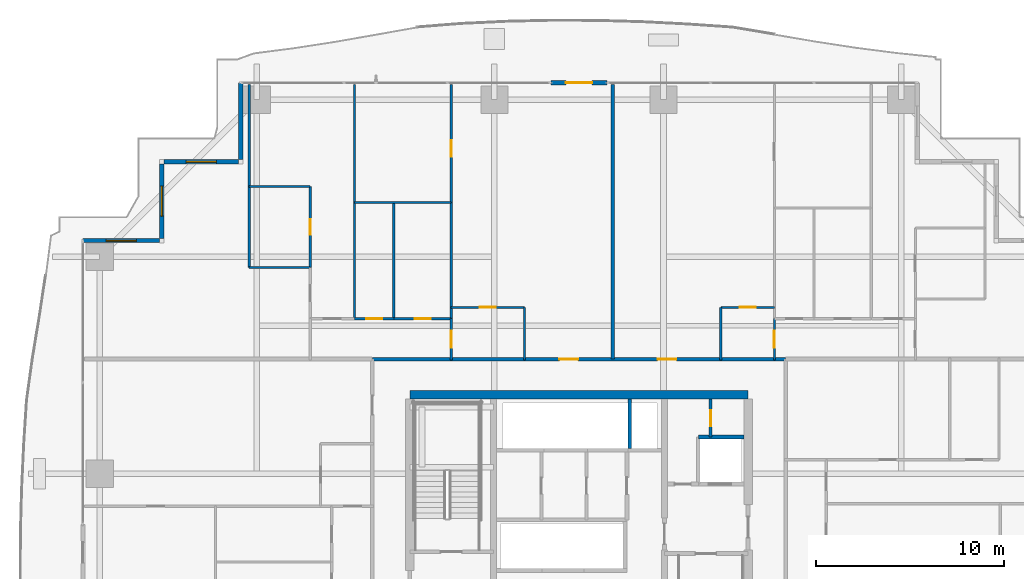
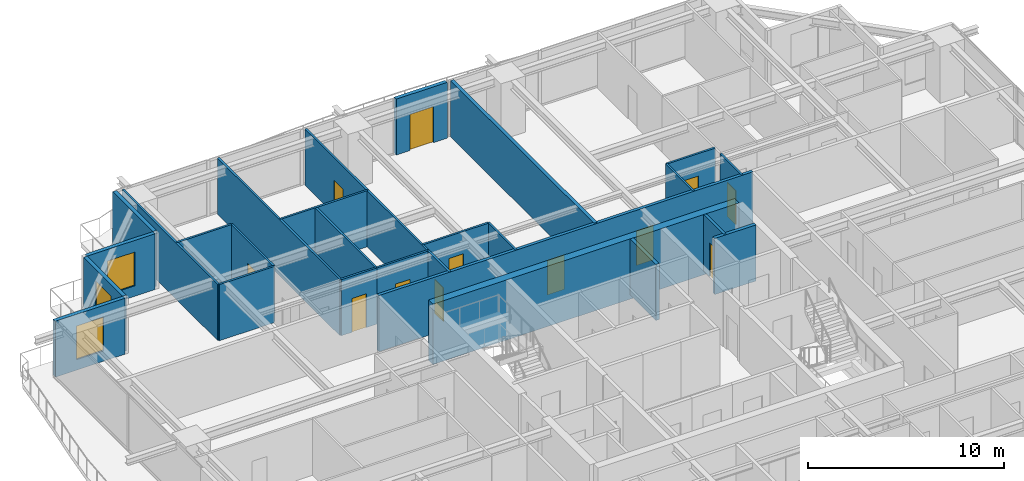
# One storey, part 27 of 36: 28 walls, 12 doors, 3 windows, 15 openings.
"""IFC4 building model written with IfcOpenShell, lengths in metres."""

from ifc_helpers import new_model, si_unit, direction, frame, frame_2d, origin, place, context, subcontext, project, spatial, rectangle, extrude, source, transform, mapped, material, layer, layer_set, type_object, element, fill, save


model = new_model("IFC4")

# Units and contexts
model_context = context("Model", 3, precision=1e-05, world=origin(), true_north=direction((0.0, 1.0)))
body_context = subcontext(model_context, "Body", "Model", "MODEL_VIEW")
ifc_project = project(units=[si_unit("LENGTHUNIT", "METRE"), si_unit("AREAUNIT", "SQUARE_METRE"), si_unit("VOLUMEUNIT", "CUBIC_METRE"), si_unit("PLANEANGLEUNIT", "RADIAN"), si_unit("MASSUNIT", "GRAM", prefix="KILO")], contexts=[model_context])

# Site, building, storey
site_placement = place(None, origin())
site = spatial("IfcSite", under=ifc_project, at=site_placement, CompositionType="ELEMENT")
building_placement = place(site_placement, origin())
building = spatial("IfcBuilding", under=site, at=building_placement, Name="Serunith Strait Residences", CompositionType="ELEMENT")
storey_placement = place(building_placement, frame((0.0, 0.0, 41.699951171875)))
storey = spatial("IfcBuildingStorey", under=building, at=storey_placement, Name="L09", CompositionType="ELEMENT", Elevation=41.699951171875)

# Wall, opening, door
ifc_material_1 = material(Name="Pale-Champagne Aluminium Insulated Panel", Category="aluminium")
ifc_layer_1 = layer(ifc_material_1, 0.219970703125, Name="Pale-Champagne Aluminium Insulated Panel")
ifc_layer_set_1 = layer_set([ifc_layer_1], Name="Pale-Champagne Aluminium Insulated Panel")
wall_type_1 = type_object("IfcWallType", Name="EW-ALUM-220", PredefinedType="ELEMENTEDWALL", material=ifc_layer_set_1)
wall_1_placement = place(storey_placement, frame((33.89990234375, 50.199951171875, 0.0), z_axis=(0.0, 0.0, 1.0), x_axis=(-1.0, 0.0, 0.0)))
wall_1 = element("IfcWall", 1, at=wall_1_placement, inside=storey, type_object=wall_type_1, Name="L09 N Facade Pier Wall", PredefinedType="ELEMENTEDWALL", context=body_context, shape_type="SweptSolid", body=[
    extrude(rectangle(XDim=3.0, YDim=0.219970703125, at=frame_2d((1.5, 0.0))), origin(), (0.0, 0.0, 1.0), 3.47509765625),
])
opening_1_placement = place(wall_1_placement, frame((0.800048828125, 0.0, 0.0)))
opening_1 = element("IfcOpeningElement", 2, at=opening_1_placement, cuts=wall_1, Name="Opening ED-04", PredefinedType="OPENING", context=body_context, shape_type="SweptSolid", body=[
    extrude(rectangle(XDim=1.39990234375, YDim=2.25, at=frame_2d((0.699951171875, 1.125))), frame((0.0, 0.1201171875, 0.0), z_axis=(0.0, -1.0, 0.0), x_axis=(1.0, 0.0, 0.0)), (0.0, 0.0, 1.0), 0.239990234375),
])
ifc_material_2 = material(Name="Thermally-Broken Aluminium Sliding Balcony Door", Category="aluminium")
door_type_1 = type_object("IfcDoorType", Name="ED-BALC-1400", OperationType="NOTDEFINED", PredefinedType="DOOR", material=ifc_material_2)
shared_shape_1 = source(origin(), body_context, "Body", "SweptSolid", [
    extrude(rectangle(XDim=1.39990234375, YDim=2.25, at=frame_2d((0.699951171875, 1.125))), frame((0.0, 0.02490234375, 0.0), z_axis=(0.0, -1.0, 0.0), x_axis=(1.0, 0.0, 0.0)), (0.0, 0.0, 1.0), 0.050048828125),
])
door_1_placement = place(opening_1_placement, origin())
door_1 = element("IfcDoor", 3, at=door_1_placement, inside=storey, type_object=door_type_1, Name="L09 N Vertical-Forest Balcony Door", OperationType="SLIDING_TO_LEFT", OverallHeight=2.25, OverallWidth=1.39990234375, PredefinedType="DOOR", context=body_context, shape_type="MappedRepresentation", body=[
    mapped(shared_shape_1, transform((0.0, 0.0, 0.0), scale=1.0)),
])
fill(opening_1, door_1)

# Wall
wall_2_placement = place(storey_placement, frame((14.39990234375, 50.199951171875, 0.0), z_axis=(0.0, 0.0, 1.0), x_axis=(0.0, -1.0, 0.0)))
element("IfcWall", 4, at=wall_2_placement, inside=storey, type_object=wall_type_1, Name="L09 Girih Serrated Corner Wall 12", PredefinedType="ELEMENTEDWALL", context=body_context, shape_type="SweptSolid", body=[
    extrude(rectangle(XDim=4.08984375, YDim=0.219970703125, at=frame_2d((2.044921875, 0.0))), origin(), (0.0, 0.0, 1.0), 3.47509765625),
])

# Wall, opening, window
wall_3_placement = place(storey_placement, frame((14.2900390625, 46.0, 0.0), z_axis=(0.0, 0.0, 1.0), x_axis=(-1.0, 0.0, 0.0)))
wall_3 = element("IfcWall", 5, at=wall_3_placement, inside=storey, type_object=wall_type_1, Name="L09 Girih Serrated Corner Wall 13", PredefinedType="ELEMENTEDWALL", context=body_context, shape_type="SweptSolid", body=[
    extrude(rectangle(XDim=3.97998046875, YDim=0.219970703125, at=frame_2d((1.989990234375, 0.0))), origin(), (0.0, 0.0, 1.0), 3.47509765625),
])
opening_2_placement = place(wall_3_placement, frame((1.18994140625, 0.0, 0.64990234375)))
opening_2 = element("IfcOpeningElement", 6, at=opening_2_placement, cuts=wall_3, Name="Opening W-02", PredefinedType="OPENING", context=body_context, shape_type="SweptSolid", body=[
    extrude(rectangle(XDim=1.60009765625, YDim=2.10009765625, at=frame_2d((0.800048828125, 1.050048828125))), frame((0.0, 0.1201171875, 0.0), z_axis=(0.0, -1.0, 0.0), x_axis=(1.0, 0.0, 0.0)), (0.0, 0.0, 1.0), 0.239990234375),
])
ifc_material_3 = material(Name="Ceramic-Fritted Operable Aluminium Window Glass", Category="aluminium")
window_type = type_object("IfcWindowType", Name="WIN-C2", PartitioningType="DOUBLE_PANEL_VERTICAL", PredefinedType="WINDOW", material=ifc_material_3)
shared_shape_2 = source(origin(), body_context, "Body", "SweptSolid", [
    extrude(rectangle(XDim=1.60009765625, YDim=2.10009765625, at=frame_2d((0.800048828125, 1.050048828125))), frame((0.0, 0.030029296875, 0.0), z_axis=(0.0, -1.0, 0.0), x_axis=(1.0, 0.0, 0.0)), (0.0, 0.0, 1.0), 0.06005859375),
])
window_1_placement = place(opening_2_placement, origin())
window_1 = element("IfcWindow", 7, at=window_1_placement, inside=storey, type_object=window_type, Name="L09 Corner Operable Fritted Window 13", OverallHeight=2.10009765625, OverallWidth=1.60009765625, PartitioningType="SINGLE_PANEL", PredefinedType="WINDOW", context=body_context, shape_type="MappedRepresentation", body=[
    mapped(shared_shape_2, transform((0.0, 0.0, 0.0), scale=1.0)),
])
fill(opening_2, window_1)

wall_4_placement = place(storey_placement, frame((10.199951171875, 45.889892578125, 0.0), z_axis=(0.0, 0.0, 1.0), x_axis=(0.0, -1.0, 0.0)))
wall_4 = element("IfcWall", 8, at=wall_4_placement, inside=storey, type_object=wall_type_1, Name="L09 Girih Serrated Corner Wall 14", PredefinedType="ELEMENTEDWALL", context=body_context, shape_type="SweptSolid", body=[
    extrude(rectangle(XDim=3.97998046875, YDim=0.219970703125, at=frame_2d((1.989990234375, 0.0))), origin(), (0.0, 0.0, 1.0), 3.47509765625),
])
opening_3_placement = place(wall_4_placement, frame((1.18994140625, 0.0, 0.64990234375)))
opening_3 = element("IfcOpeningElement", 9, at=opening_3_placement, cuts=wall_4, Name="Opening W-02", PredefinedType="OPENING", context=body_context, shape_type="SweptSolid", body=[
    extrude(rectangle(XDim=1.60009765625, YDim=2.10009765625, at=frame_2d((0.800048828125, 1.050048828125))), frame((0.0, 0.1201171875, 0.0), z_axis=(0.0, -1.0, 0.0), x_axis=(1.0, 0.0, 0.0)), (0.0, 0.0, 1.0), 0.239990234375),
])
window_2_placement = place(opening_3_placement, origin())
window_2 = element("IfcWindow", 10, at=window_2_placement, inside=storey, type_object=window_type, Name="L09 Corner Operable Fritted Window 14", OverallHeight=2.10009765625, OverallWidth=1.60009765625, PartitioningType="SINGLE_PANEL", PredefinedType="WINDOW", context=body_context, shape_type="MappedRepresentation", body=[
    mapped(shared_shape_2, transform((0.0, 0.0, 0.0), scale=1.0)),
])
fill(opening_3, window_2)

wall_5_placement = place(storey_placement, frame((10.090087890625, 41.800048828125, 0.0), z_axis=(0.0, 0.0, 1.0), x_axis=(-1.0, 0.0, 0.0)))
wall_5 = element("IfcWall", 11, at=wall_5_placement, inside=storey, type_object=wall_type_1, Name="L09 Girih Serrated Corner Wall 15", PredefinedType="ELEMENTEDWALL", context=body_context, shape_type="SweptSolid", body=[
    extrude(rectangle(XDim=4.090087890625, YDim=0.219970703125, at=frame_2d((2.044921875, 0.0))), origin(), (0.0, 0.0, 1.0), 3.47509765625),
])
opening_4_placement = place(wall_5_placement, frame((1.2451171875, 0.0, 0.64990234375)))
opening_4 = element("IfcOpeningElement", 12, at=opening_4_placement, cuts=wall_5, Name="Opening W-02", PredefinedType="OPENING", context=body_context, shape_type="SweptSolid", body=[
    extrude(rectangle(XDim=1.60009765625, YDim=2.10009765625, at=frame_2d((0.800048828125, 1.050048828125))), frame((0.0, 0.1201171875, 0.0), z_axis=(0.0, -1.0, 0.0), x_axis=(1.0, 0.0, 0.0)), (0.0, 0.0, 1.0), 0.239990234375),
])
window_3_placement = place(opening_4_placement, origin())
window_3 = element("IfcWindow", 13, at=window_3_placement, inside=storey, type_object=window_type, Name="L09 Corner Operable Fritted Window 15", OverallHeight=2.10009765625, OverallWidth=1.60009765625, PartitioningType="SINGLE_PANEL", PredefinedType="WINDOW", context=body_context, shape_type="MappedRepresentation", body=[
    mapped(shared_shape_2, transform((0.0, 0.0, 0.0), scale=1.0)),
])
fill(opening_4, window_3)

# Wall, opening, door
ifc_material_4 = material(Name="Fire-rated masonry service closet wall", Category="masonry")
ifc_layer_2 = layer(ifc_material_4, 0.14990234375, Name="Fire-rated masonry service closet wall")
ifc_layer_set_2 = layer_set([ifc_layer_2], Name="Fire-rated masonry service closet wall")
wall_type_2 = type_object("IfcWallType", Name="IW-BOH-150", PredefinedType="PARTITIONING", material=ifc_layer_set_2)
wall_6_placement = place(storey_placement, frame((39.39990234375, 31.35009765625, 0.0), z_axis=(0.0, 0.0, 1.0), x_axis=(0.0, 1.0, 0.0)))
wall_6 = element("IfcWall", 14, at=wall_6_placement, inside=storey, type_object=wall_type_2, Name="L09 Partition Wall 013", PredefinedType="PARTITIONING", context=body_context, shape_type="SweptSolid", body=[
    extrude(rectangle(XDim=2.02490234375, YDim=0.14990234375, at=frame_2d((1.012451171875, 0.0))), origin(), (0.0, 0.0, 1.0), 3.489990234375),
])
opening_5_placement = place(wall_6_placement, frame((0.5869140625, 0.0, 0.0)))
opening_5 = element("IfcOpeningElement", 15, at=opening_5_placement, cuts=wall_6, Name="Opening FD-850", PredefinedType="OPENING", context=body_context, shape_type="SweptSolid", body=[
    extrude(rectangle(XDim=0.85009765625, YDim=2.10009765625, at=frame_2d((0.425048828125, 1.050048828125))), frame((0.0, 0.0849609375, 0.0), z_axis=(0.0, -1.0, 0.0), x_axis=(1.0, 0.0, 0.0)), (0.0, 0.0, 1.0), 0.169921875),
])
ifc_material_5 = material(Name="Powder-coated steel service closet door", Category="steel")
door_type_2 = type_object("IfcDoorType", Name="FD-BOH-850", OperationType="NOTDEFINED", PredefinedType="DOOR", material=ifc_material_5)
shared_shape_3 = source(origin(), body_context, "Body", "SweptSolid", [
    extrude(rectangle(XDim=0.85009765625, YDim=2.10009765625, at=frame_2d((0.425048828125, 1.050048828125))), frame((0.0, 0.02490234375, 0.0), z_axis=(0.0, -1.0, 0.0), x_axis=(1.0, 0.0, 0.0)), (0.0, 0.0, 1.0), 0.050048828125),
])
door_2_placement = place(opening_5_placement, origin())
door_2 = element("IfcDoor", 16, at=door_2_placement, inside=storey, type_object=door_type_2, Name="L09 Janitor Store Door", OperationType="SINGLE_SWING_LEFT", OverallHeight=2.10009765625, OverallWidth=0.85009765625, PredefinedType="DOOR", context=body_context, shape_type="MappedRepresentation", body=[
    mapped(shared_shape_3, transform((0.0, 0.0, 0.0), scale=1.0)),
])
fill(opening_5, door_2)

# Wall, openings, doors
ifc_material_6 = material(Name="Fire-rated acoustic gypsum partition")
ifc_layer_3 = layer(ifc_material_6, 0.179931640625, Name="Fire-rated acoustic gypsum partition")
ifc_layer_set_3 = layer_set([ifc_layer_3], Name="Fire-rated acoustic gypsum partition")
wall_type_3 = type_object("IfcWallType", Name="IW-CORR-180", PredefinedType="PARTITIONING", material=ifc_layer_set_3)
wall_7_placement = place(storey_placement, frame((21.402099609375, 35.5, 0.0), z_axis=(0.0, 0.0, 1.0), x_axis=(1.0, 0.0, 0.0)))
wall_7 = element("IfcWall", 17, at=wall_7_placement, inside=storey, type_object=wall_type_3, Name="L09 Partition Wall 024", PredefinedType="PARTITIONING", context=body_context, shape_type="SweptSolid", body=[
    extrude(rectangle(XDim=21.995849609375, YDim=0.179931640625, at=frame_2d((10.998046875, 0.0))), origin(), (0.0, 0.0, 1.0), 3.489990234375),
])
opening_6_placement = place(wall_7_placement, frame((9.951904296875, 0.0, 0.0)))
opening_6 = element("IfcOpeningElement", 18, at=opening_6_placement, cuts=wall_7, Name="Opening D-APT1000", PredefinedType="OPENING", context=body_context, shape_type="SweptSolid", body=[
    extrude(rectangle(XDim=1.0, YDim=2.14990234375, at=frame_2d((0.5, 1.074951171875))), frame((0.0, 0.10009765625, 0.0), z_axis=(0.0, -1.0, 0.0), x_axis=(1.0, 0.0, 0.0)), (0.0, 0.0, 1.0), 0.199951171875),
])
opening_7_placement = place(wall_7_placement, frame((15.179931640625, 0.0, 0.0)))
opening_7 = element("IfcOpeningElement", 19, at=opening_7_placement, cuts=wall_7, Name="Opening D-APT1000", PredefinedType="OPENING", context=body_context, shape_type="SweptSolid", body=[
    extrude(rectangle(XDim=1.0, YDim=2.14990234375, at=frame_2d((0.5, 1.074951171875))), frame((0.0, 0.10009765625, 0.0), z_axis=(0.0, -1.0, 0.0), x_axis=(1.0, 0.0, 0.0)), (0.0, 0.0, 1.0), 0.199951171875),
])
ifc_material_7 = material(Name="Solid timber engineered fire door", Category="wood")
door_type_3 = type_object("IfcDoorType", Name="ID-APT-1000", OperationType="NOTDEFINED", PredefinedType="DOOR", material=ifc_material_7)
shared_shape_4 = source(origin(), body_context, "Body", "SweptSolid", [
    extrude(rectangle(XDim=1.0, YDim=2.14990234375, at=frame_2d((0.5, 1.074951171875))), frame((0.0, 0.02490234375, 0.0), z_axis=(0.0, -1.0, 0.0), x_axis=(1.0, 0.0, 0.0)), (0.0, 0.0, 1.0), 0.050048828125),
])
door_3_placement = place(opening_6_placement, origin())
door_3 = element("IfcDoor", 20, at=door_3_placement, inside=storey, type_object=door_type_3, Name="L09 Unit 03 Entrance Door", OperationType="SINGLE_SWING_LEFT", OverallHeight=2.14990234375, OverallWidth=1.0, PredefinedType="DOOR", context=body_context, shape_type="MappedRepresentation", body=[
    mapped(shared_shape_4, transform((0.0, 0.0, 0.0), scale=1.0)),
])
fill(opening_6, door_3)
door_4_placement = place(opening_7_placement, origin())
door_4 = element("IfcDoor", 21, at=door_4_placement, inside=storey, type_object=door_type_3, Name="L09 Unit 04 Entrance Door", OperationType="SINGLE_SWING_RIGHT", OverallHeight=2.14990234375, OverallWidth=1.0, PredefinedType="DOOR", context=body_context, shape_type="MappedRepresentation", body=[
    mapped(shared_shape_4, transform((0.0, 0.0, 0.0), scale=1.0)),
])
fill(opening_7, door_4)

# Wall, opening, door
ifc_material_8 = material(Name="Lightweight steel-stud gypsum partition", Category="steel")
ifc_layer_4 = layer(ifc_material_8, 0.1201171875, Name="Lightweight steel-stud gypsum partition")
ifc_layer_set_4 = layer_set([ifc_layer_4], Name="Lightweight steel-stud gypsum partition")
wall_type_4 = type_object("IfcWallType", Name="IW-PART-120", PredefinedType="PARTITIONING", material=ifc_layer_set_4)
wall_8_placement = place(storey_placement, frame((25.60009765625, 38.25, 0.0), z_axis=(0.0, 0.0, 1.0), x_axis=(1.0, 0.0, 0.0)))
wall_8 = element("IfcWall", 22, at=wall_8_placement, inside=storey, type_object=wall_type_4, Name="L09 Partition Wall 061", PredefinedType="PARTITIONING", context=body_context, shape_type="SweptSolid", body=[
    extrude(rectangle(XDim=3.89990234375, YDim=0.1201171875, at=frame_2d((1.949951171875, 0.0))), origin(), (0.0, 0.0, 1.0), 3.489990234375),
])
opening_8_placement = place(wall_8_placement, frame((1.52490234375, 0.0, 0.0)))
opening_8 = element("IfcOpeningElement", 23, at=opening_8_placement, cuts=wall_8, Name="Opening D-RM850", PredefinedType="OPENING", context=body_context, shape_type="SweptSolid", body=[
    extrude(rectangle(XDim=0.85009765625, YDim=2.10009765625, at=frame_2d((0.425048828125, 1.050048828125))), frame((0.0, 0.070068359375, 0.0), z_axis=(0.0, -1.0, 0.0), x_axis=(1.0, 0.0, 0.0)), (0.0, 0.0, 1.0), 0.14013671875),
])
ifc_material_9 = material(Name="Engineered timber flush study and kitchen door", Category="wood")
door_type_4 = type_object("IfcDoorType", Name="ID-ROOM-850", OperationType="NOTDEFINED", PredefinedType="DOOR", material=ifc_material_9)
door_5_placement = place(opening_8_placement, origin())
door_5 = element("IfcDoor", 24, at=door_5_placement, inside=storey, type_object=door_type_4, Name="L09 Kitchen 0903 Door", OperationType="SINGLE_SWING_LEFT", OverallHeight=2.10009765625, OverallWidth=0.85009765625, PredefinedType="DOOR", context=body_context, shape_type="MappedRepresentation", body=[
    mapped(shared_shape_3, transform((0.0, 0.0, 0.0), scale=1.0)),
])
fill(opening_8, door_5)

# Wall
wall_9_placement = place(storey_placement, frame((29.5, 38.25, 0.0), z_axis=(0.0, 0.0, 1.0), x_axis=(0.0, -1.0, 0.0)))
element("IfcWall", 25, at=wall_9_placement, inside=storey, type_object=wall_type_4, Name="L09 Partition Wall 062", PredefinedType="PARTITIONING", context=body_context, shape_type="SweptSolid", body=[
    extrude(rectangle(XDim=2.81005859375, YDim=0.1201171875, at=frame_2d((1.405029296875, 0.0))), origin(), (0.0, 0.0, 1.0), 3.489990234375),
])

# Wall, opening, door
wall_10_placement = place(storey_placement, frame((25.60009765625, 37.64990234375, 0.0), z_axis=(0.0, 0.0, 1.0), x_axis=(0.0, -1.0, 0.0)))
wall_10 = element("IfcWall", 26, at=wall_10_placement, inside=storey, type_object=wall_type_4, Name="L09 Partition Wall 063", PredefinedType="PARTITIONING", context=body_context, shape_type="SweptSolid", body=[
    extrude(rectangle(XDim=2.2099609375, YDim=0.1201171875, at=frame_2d((1.10498046875, 0.0))), origin(), (0.0, 0.0, 1.0), 3.489990234375),
])
opening_9_placement = place(wall_10_placement, frame((0.655029296875, 0.0, 0.0)))
opening_9 = element("IfcOpeningElement", 27, at=opening_9_placement, cuts=wall_10, Name="Opening D-RM900", PredefinedType="OPENING", context=body_context, shape_type="SweptSolid", body=[
    extrude(rectangle(XDim=0.89990234375, YDim=2.10009765625, at=frame_2d((0.449951171875, 1.050048828125))), frame((0.0, 0.070068359375, 0.0), z_axis=(0.0, -1.0, 0.0), x_axis=(1.0, 0.0, 0.0)), (0.0, 0.0, 1.0), 0.14013671875),
])
ifc_material_10 = material(Name="Engineered timber flush bedroom door", Category="wood")
door_type_5 = type_object("IfcDoorType", Name="ID-ROOM-900", OperationType="NOTDEFINED", PredefinedType="DOOR", material=ifc_material_10)
shared_shape_5 = source(origin(), body_context, "Body", "SweptSolid", [
    extrude(rectangle(XDim=0.89990234375, YDim=2.10009765625, at=frame_2d((0.449951171875, 1.050048828125))), frame((0.0, 0.02490234375, 0.0), z_axis=(0.0, -1.0, 0.0), x_axis=(1.0, 0.0, 0.0)), (0.0, 0.0, 1.0), 0.050048828125),
])
door_6_placement = place(opening_9_placement, origin())
door_6 = element("IfcDoor", 28, at=door_6_placement, inside=storey, type_object=door_type_5, Name="L09 Hall W 0903 Door", OperationType="SINGLE_SWING_RIGHT", OverallHeight=2.10009765625, OverallWidth=0.89990234375, PredefinedType="DOOR", context=body_context, shape_type="MappedRepresentation", body=[
    mapped(shared_shape_5, transform((0.0, 0.0, 0.0), scale=1.0)),
])
fill(opening_9, door_6)

wall_11_placement = place(storey_placement, frame((25.60009765625, 50.10498046875, 0.0), z_axis=(0.0, 0.0, 1.0), x_axis=(0.0, -1.0, 0.0)))
wall_11 = element("IfcWall", 29, at=wall_11_placement, inside=storey, type_object=wall_type_4, Name="L09 Partition Wall 064", PredefinedType="PARTITIONING", context=body_context, shape_type="SweptSolid", body=[
    extrude(rectangle(XDim=6.26904296875, YDim=0.1201171875, at=frame_2d((3.134521484375, 0.0))), origin(), (0.0, 0.0, 1.0), 3.489990234375),
])
opening_10_placement = place(wall_11_placement, frame((2.952880859375, 0.0, 0.0)))
opening_10 = element("IfcOpeningElement", 30, at=opening_10_placement, cuts=wall_11, Name="Opening D-RM900", PredefinedType="OPENING", context=body_context, shape_type="SweptSolid", body=[
    extrude(rectangle(XDim=0.89990234375, YDim=2.10009765625, at=frame_2d((0.449951171875, 1.050048828125))), frame((0.0, 0.070068359375, 0.0), z_axis=(0.0, -1.0, 0.0), x_axis=(1.0, 0.0, 0.0)), (0.0, 0.0, 1.0), 0.14013671875),
])
door_7_placement = place(opening_10_placement, origin())
door_7 = element("IfcDoor", 31, at=door_7_placement, inside=storey, type_object=door_type_5, Name="L09 Formal Dining Room 1 0903 Door", OperationType="SINGLE_SWING_LEFT", OverallHeight=2.10009765625, OverallWidth=0.89990234375, PredefinedType="DOOR", context=body_context, shape_type="MappedRepresentation", body=[
    mapped(shared_shape_5, transform((0.0, 0.0, 0.0), scale=1.0)),
])
fill(opening_10, door_7)

# Walls
wall_12_placement = place(storey_placement, frame((25.60009765625, 43.833984375, 0.0), z_axis=(0.0, 0.0, 1.0), x_axis=(0.0, -1.0, 0.0)))
element("IfcWall", 32, at=wall_12_placement, inside=storey, type_object=wall_type_4, Name="L09 Partition Wall 065", PredefinedType="PARTITIONING", context=body_context, shape_type="SweptSolid", body=[
    extrude(rectangle(XDim=6.181884765625, YDim=0.1201171875, at=frame_2d((3.0908203125, 0.0))), origin(), (0.0, 0.0, 1.0), 3.489990234375),
])
wall_13_placement = place(storey_placement, frame((20.449951171875, 43.8359375, 0.0), z_axis=(0.0, 0.0, 1.0), x_axis=(1.0, 0.0, 0.0)))
element("IfcWall", 33, at=wall_13_placement, inside=storey, type_object=wall_type_4, Name="L09 Partition Wall 066", PredefinedType="PARTITIONING", context=body_context, shape_type="SweptSolid", body=[
    extrude(rectangle(XDim=5.150146484375, YDim=0.1201171875, at=frame_2d((2.5751953125, 0.0))), origin(), (0.0, 0.0, 1.0), 3.489990234375),
])
wall_14_placement = place(storey_placement, frame((20.449951171875, 50.10498046875, 0.0), z_axis=(0.0, 0.0, 1.0), x_axis=(0.0, -1.0, 0.0)))
element("IfcWall", 34, at=wall_14_placement, inside=storey, type_object=wall_type_4, Name="L09 Partition Wall 067", PredefinedType="PARTITIONING", context=body_context, shape_type="SweptSolid", body=[
    extrude(rectangle(XDim=12.455078125, YDim=0.1201171875, at=frame_2d((6.2275390625, 0.0))), origin(), (0.0, 0.0, 1.0), 3.489990234375),
])
wall_15_placement = place(storey_placement, frame((22.550048828125, 43.8359375, 0.0), z_axis=(0.0, 0.0, 1.0), x_axis=(0.0, -1.0, 0.0)))
element("IfcWall", 35, at=wall_15_placement, inside=storey, type_object=wall_type_4, Name="L09 Partition Wall 068", PredefinedType="PARTITIONING", context=body_context, shape_type="SweptSolid", body=[
    extrude(rectangle(XDim=6.18603515625, YDim=0.1201171875, at=frame_2d((3.093017578125, 0.0))), origin(), (0.0, 0.0, 1.0), 3.489990234375),
])

# Wall, opening, door
wall_16_placement = place(storey_placement, frame((20.449951171875, 37.64990234375, 0.0), z_axis=(0.0, 0.0, 1.0), x_axis=(1.0, 0.0, 0.0)))
wall_16 = element("IfcWall", 36, at=wall_16_placement, inside=storey, type_object=wall_type_4, Name="L09 Partition Wall 069", PredefinedType="PARTITIONING", context=body_context, shape_type="SweptSolid", body=[
    extrude(rectangle(XDim=2.10009765625, YDim=0.1201171875, at=frame_2d((1.050048828125, 0.0))), origin(), (0.0, 0.0, 1.0), 3.489990234375),
])
opening_11_placement = place(wall_16_placement, frame((0.625, 0.0, 0.0)))
opening_11 = element("IfcOpeningElement", 37, at=opening_11_placement, cuts=wall_16, Name="Opening D-BTH850", PredefinedType="OPENING", context=body_context, shape_type="SweptSolid", body=[
    extrude(rectangle(XDim=0.85009765625, YDim=2.10009765625, at=frame_2d((0.425048828125, 1.050048828125))), frame((0.0, 0.070068359375, 0.0), z_axis=(0.0, -1.0, 0.0), x_axis=(1.0, 0.0, 0.0)), (0.0, 0.0, 1.0), 0.14013671875),
])
ifc_material_11 = material(Name="Moisture-resistant timber bathroom door", Category="wood")
door_type_6 = type_object("IfcDoorType", Name="ID-BATH-850", OperationType="NOTDEFINED", PredefinedType="DOOR", material=ifc_material_11)
door_8_placement = place(opening_11_placement, origin())
door_8 = element("IfcDoor", 38, at=door_8_placement, inside=storey, type_object=door_type_6, Name="L09 Bathroom 0903 Door", OperationType="SINGLE_SWING_RIGHT", OverallHeight=2.10009765625, OverallWidth=0.85009765625, PredefinedType="DOOR", context=body_context, shape_type="MappedRepresentation", body=[
    mapped(shared_shape_3, transform((0.0, 0.0, 0.0), scale=1.0)),
])
fill(opening_11, door_8)

wall_17_placement = place(storey_placement, frame((22.552001953125, 37.64990234375, 0.0), z_axis=(0.0, 0.0, 1.0), x_axis=(1.0, 0.0, 0.0)))
wall_17 = element("IfcWall", 39, at=wall_17_placement, inside=storey, type_object=wall_type_4, Name="L09 Partition Wall 070", PredefinedType="PARTITIONING", context=body_context, shape_type="SweptSolid", body=[
    extrude(rectangle(XDim=3.048095703125, YDim=0.1201171875, at=frame_2d((1.52392578125, 0.0))), origin(), (0.0, 0.0, 1.0), 3.489990234375),
])
opening_12_placement = place(wall_17_placement, frame((1.09912109375, 0.0, 0.0)))
opening_12 = element("IfcOpeningElement", 40, at=opening_12_placement, cuts=wall_17, Name="Opening D-RM850", PredefinedType="OPENING", context=body_context, shape_type="SweptSolid", body=[
    extrude(rectangle(XDim=0.85009765625, YDim=2.10009765625, at=frame_2d((0.425048828125, 1.050048828125))), frame((0.0, 0.070068359375, 0.0), z_axis=(0.0, -1.0, 0.0), x_axis=(1.0, 0.0, 0.0)), (0.0, 0.0, 1.0), 0.14013671875),
])
door_9_placement = place(opening_12_placement, origin())
door_9 = element("IfcDoor", 41, at=door_9_placement, inside=storey, type_object=door_type_4, Name="L09 Laundry Room 0903 Door", OperationType="SINGLE_SWING_LEFT", OverallHeight=2.10009765625, OverallWidth=0.85009765625, PredefinedType="DOOR", context=body_context, shape_type="MappedRepresentation", body=[
    mapped(shared_shape_3, transform((0.0, 0.0, 0.0), scale=1.0)),
])
fill(opening_12, door_9)

# Walls
wall_18_placement = place(storey_placement, frame((14.85009765625, 44.681884765625, 0.0), z_axis=(0.0, 0.0, 1.0), x_axis=(1.0, 0.0, 0.0)))
element("IfcWall", 42, at=wall_18_placement, inside=storey, type_object=wall_type_4, Name="L09 Partition Wall 072", PredefinedType="PARTITIONING", context=body_context, shape_type="SweptSolid", body=[
    extrude(rectangle(XDim=3.25, YDim=0.1201171875, at=frame_2d((1.625, 0.0))), origin(), (0.0, 0.0, 1.0), 3.489990234375),
])
wall_19_placement = place(storey_placement, frame((14.85009765625, 50.10498046875, 0.0), z_axis=(0.0, 0.0, 1.0), x_axis=(0.0, -1.0, 0.0)))
element("IfcWall", 43, at=wall_19_placement, inside=storey, type_object=wall_type_4, Name="L09 Partition Wall 073", PredefinedType="PARTITIONING", context=body_context, shape_type="SweptSolid", body=[
    extrude(rectangle(XDim=9.73095703125, YDim=0.1201171875, at=frame_2d((4.865478515625, 0.0))), origin(), (0.0, 0.0, 1.0), 3.489990234375),
])
wall_20_placement = place(storey_placement, frame((14.85009765625, 40.3740234375, 0.0), z_axis=(0.0, 0.0, 1.0), x_axis=(1.0, 0.0, 0.0)))
element("IfcWall", 44, at=wall_20_placement, inside=storey, type_object=wall_type_4, Name="L09 Partition Wall 074", PredefinedType="PARTITIONING", context=body_context, shape_type="SweptSolid", body=[
    extrude(rectangle(XDim=3.25, YDim=0.1201171875, at=frame_2d((1.625, 0.0))), origin(), (0.0, 0.0, 1.0), 3.489990234375),
])

# Wall, opening, door
wall_21_placement = place(storey_placement, frame((18.10009765625, 44.681884765625, 0.0), z_axis=(0.0, 0.0, 1.0), x_axis=(0.0, -1.0, 0.0)))
wall_21 = element("IfcWall", 45, at=wall_21_placement, inside=storey, type_object=wall_type_4, Name="L09 Partition Wall 075", PredefinedType="PARTITIONING", context=body_context, shape_type="SweptSolid", body=[
    extrude(rectangle(XDim=4.307861328125, YDim=0.1201171875, at=frame_2d((2.15380859375, 0.0))), origin(), (0.0, 0.0, 1.0), 3.489990234375),
])
opening_13_placement = place(wall_21_placement, frame((1.72900390625, 0.0, 0.0)))
opening_13 = element("IfcOpeningElement", 46, at=opening_13_placement, cuts=wall_21, Name="Opening D-BTH850", PredefinedType="OPENING", context=body_context, shape_type="SweptSolid", body=[
    extrude(rectangle(XDim=0.85009765625, YDim=2.10009765625, at=frame_2d((0.425048828125, 1.050048828125))), frame((0.0, 0.070068359375, 0.0), z_axis=(0.0, -1.0, 0.0), x_axis=(1.0, 0.0, 0.0)), (0.0, 0.0, 1.0), 0.14013671875),
])
door_10_placement = place(opening_13_placement, origin())
door_10 = element("IfcDoor", 47, at=door_10_placement, inside=storey, type_object=door_type_6, Name="L09 En-suite Bathroom W 0903 Door", OperationType="SINGLE_SWING_LEFT", OverallHeight=2.10009765625, OverallWidth=0.85009765625, PredefinedType="DOOR", context=body_context, shape_type="MappedRepresentation", body=[
    mapped(shared_shape_3, transform((0.0, 0.0, 0.0), scale=1.0)),
])
fill(opening_13, door_10)

wall_22_placement = place(storey_placement, frame((39.949951171875, 38.25, 0.0), z_axis=(0.0, 0.0, 1.0), x_axis=(1.0, 0.0, 0.0)))
wall_22 = element("IfcWall", 48, at=wall_22_placement, inside=storey, type_object=wall_type_4, Name="L09 Partition Wall 078", PredefinedType="PARTITIONING", context=body_context, shape_type="SweptSolid", body=[
    extrude(rectangle(XDim=2.85009765625, YDim=0.1201171875, at=frame_2d((1.425048828125, 0.0))), origin(), (0.0, 0.0, 1.0), 3.489990234375),
])
opening_14_placement = place(wall_22_placement, frame((1.0, 0.0, 0.0)))
opening_14 = element("IfcOpeningElement", 49, at=opening_14_placement, cuts=wall_22, Name="Opening D-RM850", PredefinedType="OPENING", context=body_context, shape_type="SweptSolid", body=[
    extrude(rectangle(XDim=0.85009765625, YDim=2.10009765625, at=frame_2d((0.425048828125, 1.050048828125))), frame((0.0, 0.070068359375, 0.0), z_axis=(0.0, -1.0, 0.0), x_axis=(1.0, 0.0, 0.0)), (0.0, 0.0, 1.0), 0.14013671875),
])
door_11_placement = place(opening_14_placement, origin())
door_11 = element("IfcDoor", 50, at=door_11_placement, inside=storey, type_object=door_type_4, Name="L09 Kitchen 0904 Door", OperationType="SINGLE_SWING_LEFT", OverallHeight=2.10009765625, OverallWidth=0.85009765625, PredefinedType="DOOR", context=body_context, shape_type="MappedRepresentation", body=[
    mapped(shared_shape_3, transform((0.0, 0.0, 0.0), scale=1.0)),
])
fill(opening_14, door_11)

# Wall
wall_23_placement = place(storey_placement, frame((39.949951171875, 38.25, 0.0), z_axis=(0.0, 0.0, 1.0), x_axis=(0.0, -1.0, 0.0)))
element("IfcWall", 51, at=wall_23_placement, inside=storey, type_object=wall_type_4, Name="L09 Partition Wall 079", PredefinedType="PARTITIONING", context=body_context, shape_type="SweptSolid", body=[
    extrude(rectangle(XDim=2.81005859375, YDim=0.1201171875, at=frame_2d((1.405029296875, 0.0))), origin(), (0.0, 0.0, 1.0), 3.489990234375),
])

# Wall, opening, door
wall_24_placement = place(storey_placement, frame((42.800048828125, 37.64990234375, 0.0), z_axis=(0.0, 0.0, 1.0), x_axis=(0.0, -1.0, 0.0)))
wall_24 = element("IfcWall", 52, at=wall_24_placement, inside=storey, type_object=wall_type_4, Name="L09 Partition Wall 080", PredefinedType="PARTITIONING", context=body_context, shape_type="SweptSolid", body=[
    extrude(rectangle(XDim=2.2099609375, YDim=0.1201171875, at=frame_2d((1.10498046875, 0.0))), origin(), (0.0, 0.0, 1.0), 3.489990234375),
])
opening_15_placement = place(wall_24_placement, frame((0.655029296875, 0.0, 0.0)))
opening_15 = element("IfcOpeningElement", 53, at=opening_15_placement, cuts=wall_24, Name="Opening D-RM900", PredefinedType="OPENING", context=body_context, shape_type="SweptSolid", body=[
    extrude(rectangle(XDim=0.89990234375, YDim=2.10009765625, at=frame_2d((0.449951171875, 1.050048828125))), frame((0.0, 0.070068359375, 0.0), z_axis=(0.0, -1.0, 0.0), x_axis=(1.0, 0.0, 0.0)), (0.0, 0.0, 1.0), 0.14013671875),
])
door_12_placement = place(opening_15_placement, origin())
door_12 = element("IfcDoor", 54, at=door_12_placement, inside=storey, type_object=door_type_5, Name="L09 Hall E 0904 Door", OperationType="SINGLE_SWING_RIGHT", OverallHeight=2.10009765625, OverallWidth=0.89990234375, PredefinedType="DOOR", context=body_context, shape_type="MappedRepresentation", body=[
    mapped(shared_shape_5, transform((0.0, 0.0, 0.0), scale=1.0)),
])
fill(opening_15, door_12)

# Walls
ifc_material_12 = material(Name="Twin-stud acoustic gypsum board partition")
ifc_layer_5 = layer(ifc_material_12, 0.199951171875, Name="Twin-stud acoustic gypsum board partition")
ifc_layer_set_5 = layer_set([ifc_layer_5], Name="Twin-stud acoustic gypsum board partition")
wall_type_5 = type_object("IfcWallType", Name="IW-PARTY-200", PredefinedType="PARTITIONING", material=ifc_layer_set_5)
wall_25_placement = place(storey_placement, frame((34.199951171875, 35.5, 0.0), z_axis=(0.0, 0.0, 1.0), x_axis=(0.0, 1.0, 0.0)))
element("IfcWall", 55, at=wall_25_placement, inside=storey, type_object=wall_type_5, Name="L09 Partition Wall 018", PredefinedType="PARTITIONING", context=body_context, shape_type="SweptSolid", body=[
    extrude(rectangle(XDim=14.617919921875, YDim=0.199951171875, at=frame_2d((7.30908203125, 0.0))), origin(), (0.0, 0.0, 1.0), 3.489990234375),
])
ifc_material_13 = material(Name="Autoclaved aerated concrete blockwork", Category="masonry")
ifc_layer_6 = layer(ifc_material_13, 0.199951171875, Name="Autoclaved aerated concrete blockwork")
ifc_layer_set_6 = layer_set([ifc_layer_6], Name="Autoclaved aerated concrete blockwork")
wall_type_6 = type_object("IfcWallType", Name="IW-SHAFT-200", PredefinedType="STANDARD", material=ifc_layer_set_6)
wall_26_placement = place(storey_placement, frame((35.10009765625, 30.75, 0.0), z_axis=(0.0, 0.0, 1.0), x_axis=(0.0, 1.0, 0.0)))
element("IfcWall", 56, at=wall_26_placement, inside=storey, type_object=wall_type_6, Name="L09 SL-1 West Shaft Wall", PredefinedType="STANDARD", context=body_context, shape_type="SweptSolid", body=[
    extrude(rectangle(XDim=2.625, YDim=0.199951171875, at=frame_2d((1.3125, 0.0))), origin(), (0.0, 0.0, 1.0), 3.489990234375),
])
wall_27_placement = place(storey_placement, frame((38.75, 31.35009765625, 0.0), z_axis=(0.0, 0.0, 1.0), x_axis=(1.0, 0.0, 0.0)))
element("IfcWall", 57, at=wall_27_placement, inside=storey, type_object=wall_type_6, Name="L09 Partition Wall 005", PredefinedType="STANDARD", context=body_context, shape_type="SweptSolid", body=[
    extrude(rectangle(XDim=2.425048828125, YDim=0.199951171875, at=frame_2d((1.21240234375, 0.0))), origin(), (0.0, 0.0, 1.0), 3.489990234375),
])
ifc_material_14 = material(Name="Concrete C80/95", Category="concrete")
ifc_layer_7 = layer(ifc_material_14, 0.449951171875, Name="Concrete C80/95")
ifc_layer_set_7 = layer_set([ifc_layer_7], Name="Concrete C80/95")
wall_type_7 = type_object("IfcWallType", Name="SW-450-C80", PredefinedType="SHEAR", material=ifc_layer_set_7)
wall_28_placement = place(storey_placement, frame((41.39990234375, 33.60009765625, -0.260009765625), z_axis=(0.0, 0.0, 1.0), x_axis=(-1.0, 0.0, 0.0)))
element("IfcWall", 58, at=wall_28_placement, inside=storey, type_object=wall_type_7, Name="L09 Core North Shear Wall", PredefinedType="SHEAR", context=body_context, shape_type="SweptSolid", body=[
    extrude(rectangle(XDim=18.0, YDim=0.449951171875, at=frame_2d((9.0, 0.0))), origin(), (0.0, 0.0, 1.0), 3.748046875),
])

save(model, "model.ifc")
